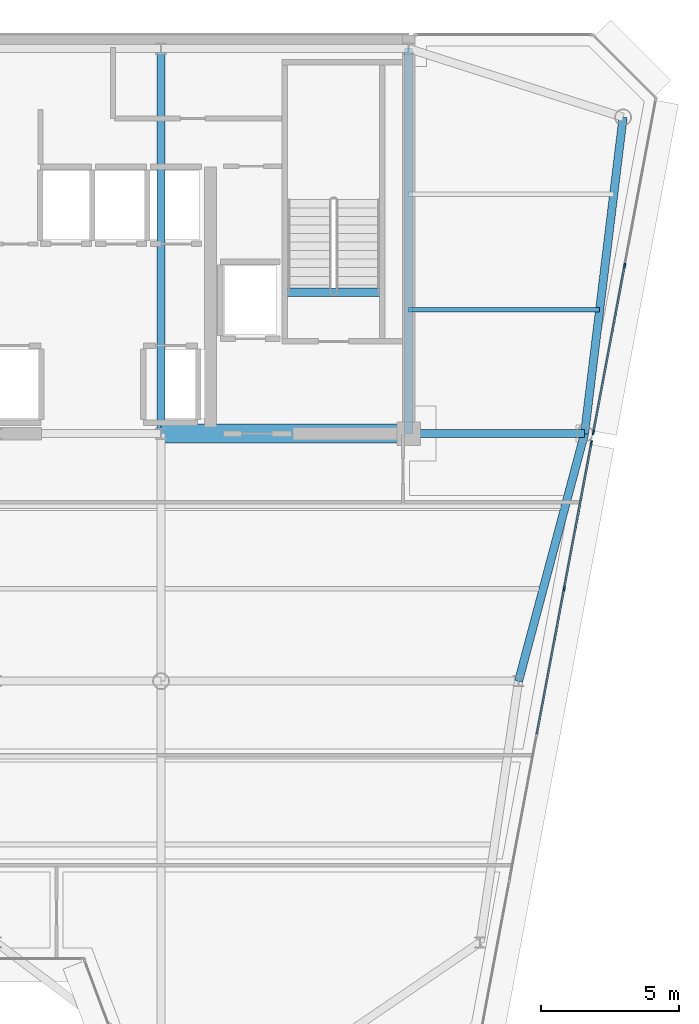
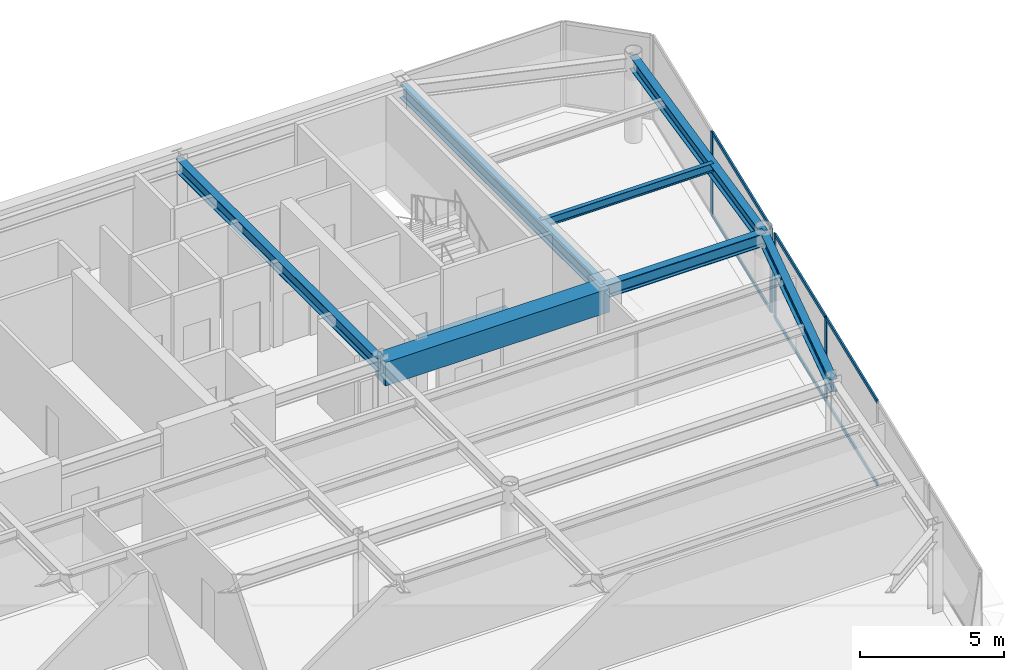
# One storey, part 7 of 19: 10 members, 8 beams, 2 elements without a shape of their own.
"""IFC4 building model written with IfcOpenShell, lengths in metres."""

from ifc_helpers import new_model, si_unit, direction, frame, origin, origin_2d, place, context, subcontext, project, spatial, rectangle, i_section, extrude, source, transform, mapped, material, layer, layer_set, material_profile, profile_set, type_object, element, aggregate, save


model = new_model("IFC4")

# Units and contexts
model_context = context("Model", 3, precision=1e-05, world=origin(), true_north=direction((0.0, 1.0)))
body_context = subcontext(model_context, "Body", "Model", "MODEL_VIEW")
ifc_project = project(units=[si_unit("LENGTHUNIT", "METRE"), si_unit("AREAUNIT", "SQUARE_METRE"), si_unit("VOLUMEUNIT", "CUBIC_METRE"), si_unit("PLANEANGLEUNIT", "RADIAN"), si_unit("MASSUNIT", "GRAM", prefix="KILO")], contexts=[model_context])

# Site, building, storey
site_placement = place(None, origin())
site = spatial("IfcSite", under=ifc_project, at=site_placement, CompositionType="ELEMENT")
building_placement = place(site_placement, origin())
building = spatial("IfcBuilding", under=site, at=building_placement, Name="Vaeldorn Concourse Tower", CompositionType="ELEMENT")
storey_placement = place(building_placement, frame((0.0, 0.0, 276.39990234375)))
storey = spatial("IfcBuildingStorey", under=building, at=storey_placement, Name="L71", CompositionType="ELEMENT", Elevation=276.39990234375)

# Beams
ifc_material_1 = material(Name="Concrete C50/60", Category="concrete")
ifc_material_profile_1 = material_profile(ifc_material_1, rectangle(XDim=0.699951171875, YDim=1.0, at=origin_2d()), Name="RC 700x1000")
ifc_profile_set_1 = profile_set([ifc_material_profile_1], Name="Concrete C50/60")
beam_type_1 = type_object("IfcBeamType", Name="BM-CB-RC700", PredefinedType="BEAM", material=ifc_profile_set_1)
shared_shape_1 = source(origin(), body_context, "Body", "SweptSolid", [
    extrude(rectangle(XDim=0.699951171875, YDim=1.0, at=origin_2d()), origin(), (0.0, 0.0, 1.0), 9.0),
])
beam_1_placement = place(storey_placement, frame((45.0, 36.5, 3.080078125), z_axis=(1.0, 0.0, 0.0), x_axis=(0.0, 1.0, 0.0)))
element("IfcBeam", 1, at=beam_1_placement, inside=storey, type_object=beam_type_1, Name="Core Coupling Beam L71-2", PredefinedType="BEAM", context=body_context, shape_type="MappedRepresentation", body=[
    mapped(shared_shape_1, transform((0.0, 0.0, 0.0), scale=1.0)),
])
ifc_material_2 = material(Name="Steel S355", Category="steel")
ifc_material_profile_2 = material_profile(ifc_material_2, i_section(OverallWidth=0.300048828125, OverallDepth=0.340087890625, WebThickness=0.011962890625, FlangeThickness=0.021484375, FilletRadius=0.027099609375, at=origin_2d()), Name="HEB 340")
ifc_profile_set_2 = profile_set([ifc_material_profile_2], Name="Steel S355")
beam_type_2 = type_object("IfcBeamType", Name="BM-ST-TRIM", PredefinedType="BEAM", material=ifc_profile_set_2)
shared_shape_2 = source(origin(), body_context, "Body", "SweptSolid", [
    extrude(i_section(OverallWidth=0.300048828125, OverallDepth=0.340087890625, WebThickness=0.011962890625, FlangeThickness=0.021484375, FilletRadius=0.027099609375, at=origin_2d()), origin(), (0.0, 0.0, 1.0), 3.590087890625),
])
beam_2_placement = place(storey_placement, frame((49.47998046875, 41.639892578125, -0.389892578125), z_axis=(1.0, 0.0, 0.0), x_axis=(0.0, 1.0, 0.0)))
element("IfcBeam", 2, at=beam_2_placement, inside=storey, type_object=beam_type_2, Name="Stair Landing Trimmer Beam ST-2 L71", PredefinedType="BEAM", context=body_context, shape_type="MappedRepresentation", body=[
    mapped(shared_shape_2, transform((0.0, 0.0, 0.0), scale=1.0)),
])
ifc_material_profile_3 = material_profile(ifc_material_2, i_section(OverallWidth=0.300048828125, OverallDepth=0.550048828125, WebThickness=0.014892578125, FlangeThickness=0.029052734375, FilletRadius=0.027099609375, at=origin_2d()), Name="HEB 550")
ifc_profile_set_3 = profile_set([ifc_material_profile_3], Name="Steel S355")
beam_type_3 = type_object("IfcBeamType", Name="BM-PG-HEB550", PredefinedType="BEAM", material=ifc_profile_set_3)
shared_shape_3 = source(origin(), body_context, "Body", "SweptSolid", [
    extrude(i_section(OverallWidth=0.300048828125, OverallDepth=0.550048828125, WebThickness=0.014892578125, FlangeThickness=0.029052734375, FilletRadius=0.027099609375, at=origin_2d()), origin(), (0.0, 0.0, 1.0), 14.0),
])
for number, where, z_axis, x_axis, name in (
    (3, (45.0, 36.5, 3.30517578125), (0.0, 1.0, 0.0), (-1.0, 0.0, 0.0), "Beam BM-L71-C-FC5-C-HC4"),
    (4, (54.0, 36.5, 3.30517578125), (0.0, 1.0, 0.0), (-1.0, 0.0, 0.0), "Beam BM-L71-C-FC6-C-HC5"),
):
    element("IfcBeam", number, at=place(storey_placement, frame(where, z_axis=z_axis, x_axis=x_axis)), inside=storey, type_object=beam_type_3, Name=name, PredefinedType="BEAM", context=body_context, shape_type="MappedRepresentation", body=[
        mapped(shared_shape_3, transform((0.0, 0.0, 0.0), scale=1.0)),
    ])
shared_shape_4 = source(origin(), body_context, "Body", "SweptSolid", [
    extrude(i_section(OverallWidth=0.300048828125, OverallDepth=0.550048828125, WebThickness=0.014892578125, FlangeThickness=0.029052734375, FilletRadius=0.027099609375, at=origin_2d()), origin(), (0.0, 0.0, 1.0), 11.5849609375),
])
beam_3_placement = place(storey_placement, frame((61.800048828125, 48.0, 3.30517578125), z_axis=(-0.120859382899, -0.992669637677, 0.0), x_axis=(0.992669637677, -0.120859382899, 0.0)))
element("IfcBeam", 5, at=beam_3_placement, inside=storey, type_object=beam_type_3, Name="Beam BM-L71-C-NE1-C-NE2", PredefinedType="BEAM", context=body_context, shape_type="MappedRepresentation", body=[
    mapped(shared_shape_4, transform((0.0, 0.0, 0.0), scale=1.0)),
])
shared_shape_5 = source(origin(), body_context, "Body", "SweptSolid", [
    extrude(i_section(OverallWidth=0.300048828125, OverallDepth=0.550048828125, WebThickness=0.014892578125, FlangeThickness=0.029052734375, FilletRadius=0.027099609375, at=origin_2d()), origin(), (0.0, 0.0, 1.0), 6.39990234375),
])
beam_4_placement = place(storey_placement, frame((54.0, 36.5, 3.30517578125), z_axis=(1.0, 0.0, 0.0), x_axis=(0.0, 1.0, 0.0)))
element("IfcBeam", 6, at=beam_4_placement, inside=storey, type_object=beam_type_3, Name="Beam BM-L71-C-FC6-C-NE2", PredefinedType="BEAM", context=body_context, shape_type="MappedRepresentation", body=[
    mapped(shared_shape_5, transform((0.0, 0.0, 0.0), scale=1.0)),
])
shared_shape_6 = source(origin(), body_context, "Body", "SweptSolid", [
    extrude(i_section(OverallWidth=0.300048828125, OverallDepth=0.550048828125, WebThickness=0.014892578125, FlangeThickness=0.029052734375, FilletRadius=0.027099609375, at=origin_2d()), origin(), (0.0, 0.0, 1.0), 9.314453125),
])
beam_5_placement = place(storey_placement, frame((60.39990234375, 36.5, 3.30517578125), z_axis=(-0.257652862255, -0.966237549763, 0.0), x_axis=(0.966237549763, -0.257652862255, 0.0)))
element("IfcBeam", 7, at=beam_5_placement, inside=storey, type_object=beam_type_3, Name="Beam BM-L71-C-NE2-C-FLE1", PredefinedType="BEAM", context=body_context, shape_type="MappedRepresentation", body=[
    mapped(shared_shape_6, transform((0.0, 0.0, 0.0), scale=1.0)),
])
ifc_material_profile_4 = material_profile(ifc_material_2, i_section(OverallWidth=0.169921875, OverallDepth=0.360107421875, WebThickness=0.008056640625, FlangeThickness=0.0126953125, FilletRadius=0.01806640625, at=origin_2d()), Name="IPE 360")
ifc_profile_set_4 = profile_set([ifc_material_profile_4], Name="Steel S355")
beam_type_4 = type_object("IfcBeamType", Name="BM-JS-IPE360", PredefinedType="JOIST", material=ifc_profile_set_4)
shared_shape_7 = source(origin(), body_context, "Body", "SweptSolid", [
    extrude(i_section(OverallWidth=0.169921875, OverallDepth=0.360107421875, WebThickness=0.008056640625, FlangeThickness=0.0126953125, FilletRadius=0.01806640625, at=origin_2d()), origin(), (0.0, 0.0, 1.0), 6.94775390625),
])
beam_6_placement = place(storey_placement, frame((54.0, 41.0, 3.400146484375), z_axis=(1.0, 0.0, 0.0), x_axis=(0.0, 1.0, 0.0)))
element("IfcBeam", 8, at=beam_6_placement, inside=storey, type_object=beam_type_4, Name="Beam JS-L71-NE-410", PredefinedType="JOIST", context=body_context, shape_type="MappedRepresentation", body=[
    mapped(shared_shape_7, transform((0.0, 0.0, 0.0), scale=1.0)),
])

# Curtain wall, members
ifc_material_3 = material(Name="Anodised Bronze Aluminium", Category="aluminium")
ifc_layer = layer(ifc_material_3, 0.179931640625)
ifc_layer_set = layer_set([ifc_layer], Name="Anodised Bronze Aluminium")
curtain_wall_type = type_object("IfcCurtainWallType", Name="CW-SYS-05", PredefinedType="NOTDEFINED", material=ifc_layer_set)
curtain_wall_1_placement = place(storey_placement, origin())
curtain_wall_1 = element("IfcCurtainWall", 9, at=curtain_wall_1_placement, inside=storey, type_object=curtain_wall_type, Name="Unitised Curtain Wall CW-L71-E07-1", PredefinedType="NOTDEFINED")
ifc_material_profile_5 = material_profile(ifc_material_3, rectangle(XDim=0.06494140625, YDim=0.169921875, at=origin_2d()), Name="CWM 65x170")
ifc_profile_set_5 = profile_set([ifc_material_profile_5], Name="Anodised Bronze Aluminium")
member_type_1 = type_object("IfcMemberType", Name="CWM-BRONZE-170", PredefinedType="MULLION", material=ifc_profile_set_5)
shared_shape_8 = source(origin(), body_context, "Body", "SweptSolid", [
    extrude(rectangle(XDim=0.06494140625, YDim=0.169921875, at=origin_2d()), origin(), (0.0, 0.0, 1.0), 3.580078125),
])
member_1_placement = place(storey_placement, frame((59.656494140625, 30.86376953125, 0.0), z_axis=(0.0, 0.0, 1.0), x_axis=(-0.982880027444, 0.184246714088, 0.0)))
member_1 = element("IfcMember", 10, at=member_1_placement, type_object=member_type_1, Name="CW-05 mullion 4", PredefinedType="MULLION", context=body_context, shape_type="MappedRepresentation", body=[
    mapped(shared_shape_8, transform((0.0, 0.0, 0.0), scale=1.0)),
])
member_2_placement = place(storey_placement, frame((60.64794921875, 36.153076171875, 0.0), z_axis=(0.0, 0.0, 1.0), x_axis=(-0.982880027444, 0.184246714088, 0.0)))
member_2 = element("IfcMember", 11, at=member_2_placement, type_object=member_type_1, Name="CW-05 mullion 5", PredefinedType="MULLION", context=body_context, shape_type="MappedRepresentation", body=[
    mapped(shared_shape_8, transform((0.0, 0.0, 0.0), scale=1.0)),
])

curtain_wall_2_placement = place(storey_placement, origin())
curtain_wall_2 = element("IfcCurtainWall", 12, at=curtain_wall_2_placement, inside=storey, type_object=curtain_wall_type, Name="Unitised Curtain Wall CW-L71-E07-2", PredefinedType="NOTDEFINED")
member_3_placement = place(storey_placement, frame((60.720947265625, 36.542236328125, 0.0), z_axis=(0.0, 0.0, 1.0), x_axis=(-0.982880218842, 0.184245693053, 0.0)))
member_3 = element("IfcMember", 13, at=member_3_placement, type_object=member_type_1, Name="CW-05 mullion 1", PredefinedType="MULLION", context=body_context, shape_type="MappedRepresentation", body=[
    mapped(shared_shape_8, transform((0.0, 0.0, 0.0), scale=1.0)),
])
member_4_placement = place(storey_placement, frame((61.857421875, 42.605224609375, 0.0), z_axis=(0.0, 0.0, 1.0), x_axis=(-0.982880218842, 0.184245693053, 0.0)))
member_4 = element("IfcMember", 14, at=member_4_placement, type_object=member_type_1, Name="CW-05 mullion 2", PredefinedType="MULLION", context=body_context, shape_type="MappedRepresentation", body=[
    mapped(shared_shape_8, transform((0.0, 0.0, 0.0), scale=1.0)),
])

# Member
ifc_material_profile_6 = material_profile(ifc_material_3, rectangle(XDim=0.06494140625, YDim=0.14990234375, at=origin_2d()), Name="CWT 65x150")
ifc_profile_set_6 = profile_set([ifc_material_profile_6], Name="Anodised Bronze Aluminium")
member_type_2 = type_object("IfcMemberType", Name="CWT-BRONZE-150", PredefinedType="USERDEFINED", material=ifc_profile_set_6)
shared_shape_9 = source(origin(), body_context, "Body", "SweptSolid", [
    extrude(rectangle(XDim=0.06494140625, YDim=0.14990234375, at=origin_2d()), origin(), (0.0, 0.0, 1.0), 5.31640625),
])
member_5_placement = place(storey_placement, frame((59.66259765625, 30.895751953125, 0.03271484375), z_axis=(0.184241399207, 0.982881023735, 0.0), x_axis=(-0.982881023735, 0.184241399207, 0.0)))
member_5 = element("IfcMember", 15, at=member_5_placement, type_object=member_type_2, Name="CW-05 transom 4.1", ObjectType="TRANSOM", PredefinedType="USERDEFINED", context=body_context, shape_type="MappedRepresentation", body=[
    mapped(shared_shape_9, transform((0.0, 0.0, 0.0), scale=1.0)),
])

member_6_placement = place(storey_placement, frame((59.66259765625, 30.895751953125, 3.547607421875), z_axis=(0.184241399207, 0.982881023735, 0.0), x_axis=(-0.982881023735, 0.184241399207, 0.0)))
member_6 = element("IfcMember", 16, at=member_6_placement, type_object=member_type_2, Name="CW-05 transom 4.2", ObjectType="TRANSOM", PredefinedType="USERDEFINED", context=body_context, shape_type="MappedRepresentation", body=[
    mapped(shared_shape_9, transform((0.0, 0.0, 0.0), scale=1.0)),
])

shared_shape_10 = source(origin(), body_context, "Body", "SweptSolid", [
    extrude(rectangle(XDim=0.06494140625, YDim=0.14990234375, at=origin_2d()), origin(), (0.0, 0.0, 1.0), 5.348876953125),
])
member_7_placement = place(storey_placement, frame((58.6650390625, 25.574462890625, 0.03271484375), z_axis=(0.184216882988, 0.982885618993, 0.0), x_axis=(-0.982885618993, 0.184216882988, 0.0)))
member_7 = element("IfcMember", 17, at=member_7_placement, type_object=member_type_2, Name="CW-05 transom 3.1", ObjectType="TRANSOM", PredefinedType="USERDEFINED", context=body_context, shape_type="MappedRepresentation", body=[
    mapped(shared_shape_10, transform((0.0, 0.0, 0.0), scale=1.0)),
])

member_8_placement = place(storey_placement, frame((58.6650390625, 25.574462890625, 3.547607421875), z_axis=(0.184216882988, 0.982885618993, 0.0), x_axis=(-0.982885618993, 0.184216882988, 0.0)))
member_8 = element("IfcMember", 18, at=member_8_placement, type_object=member_type_2, Name="CW-05 transom 3.2", ObjectType="TRANSOM", PredefinedType="USERDEFINED", context=body_context, shape_type="MappedRepresentation", body=[
    mapped(shared_shape_10, transform((0.0, 0.0, 0.0), scale=1.0)),
])

aggregate(curtain_wall_1, [member_1, member_2, member_7, member_8, member_5, member_6])

shared_shape_11 = source(origin(), body_context, "Body", "SweptSolid", [
    extrude(rectangle(XDim=0.06494140625, YDim=0.14990234375, at=origin_2d()), origin(), (0.0, 0.0, 1.0), 6.103515625),
])
member_9_placement = place(storey_placement, frame((60.72705078125, 36.57421875, 0.03271484375), z_axis=(0.18424023288, 0.982881242363, 0.0), x_axis=(-0.982881242363, 0.18424023288, 0.0)))
member_9 = element("IfcMember", 19, at=member_9_placement, type_object=member_type_2, Name="CW-05 transom 1.1", ObjectType="TRANSOM", PredefinedType="USERDEFINED", context=body_context, shape_type="MappedRepresentation", body=[
    mapped(shared_shape_11, transform((0.0, 0.0, 0.0), scale=1.0)),
])

member_10_placement = place(storey_placement, frame((60.72705078125, 36.57421875, 3.547607421875), z_axis=(0.18424023288, 0.982881242363, 0.0), x_axis=(-0.982881242363, 0.18424023288, 0.0)))
member_10 = element("IfcMember", 20, at=member_10_placement, type_object=member_type_2, Name="CW-05 transom 1.2", ObjectType="TRANSOM", PredefinedType="USERDEFINED", context=body_context, shape_type="MappedRepresentation", body=[
    mapped(shared_shape_11, transform((0.0, 0.0, 0.0), scale=1.0)),
])

aggregate(curtain_wall_2, [member_3, member_4, member_9, member_10])

save(model, "model.ifc")
